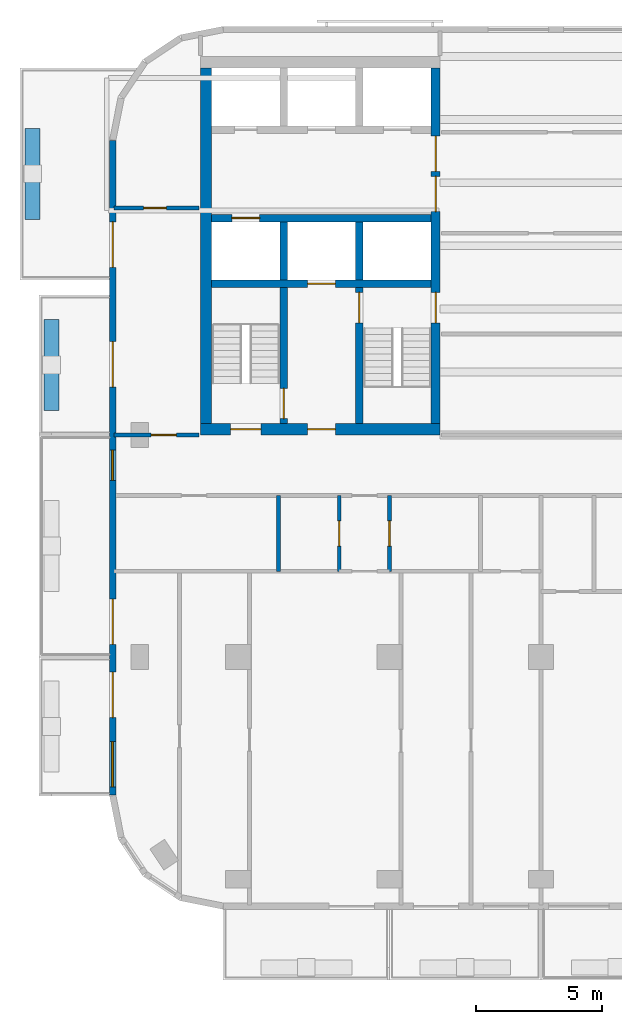
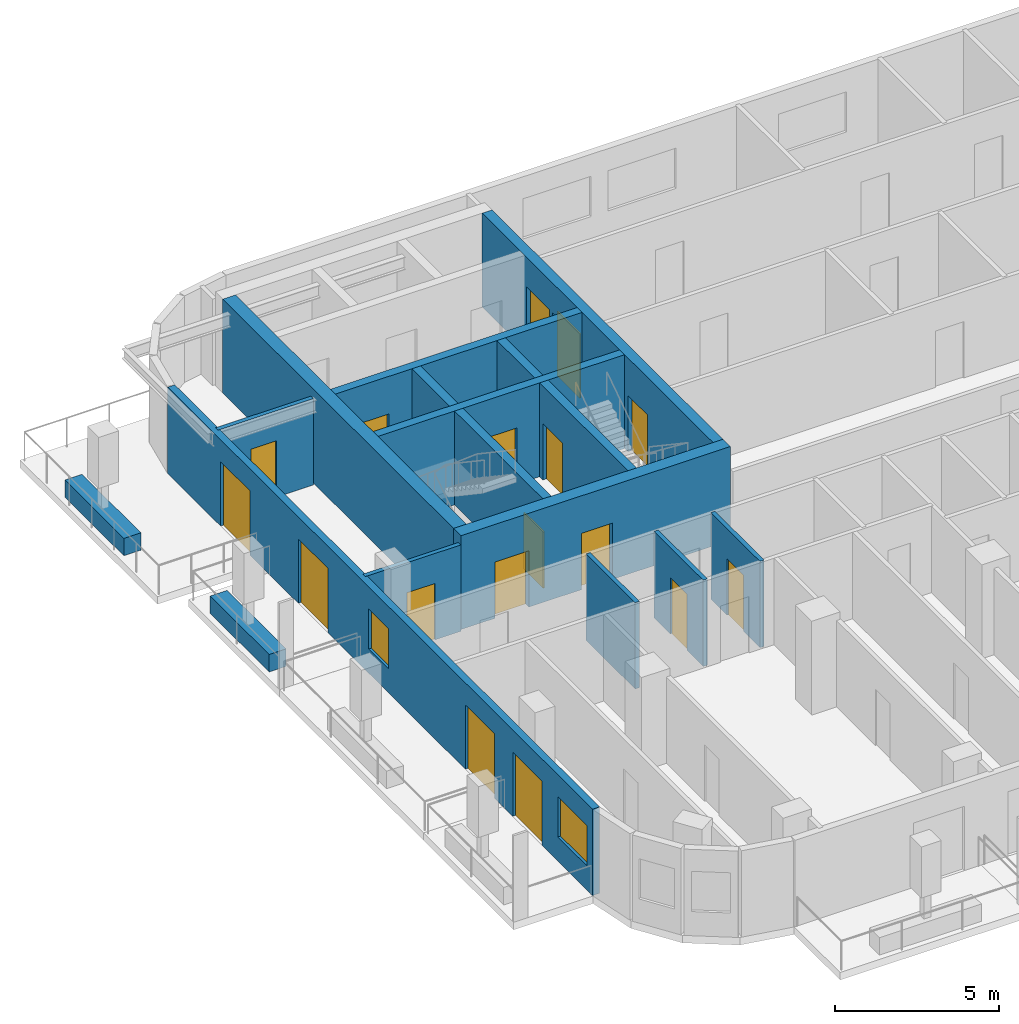
# One storey, part 3 of 11: 17 doors, 17 walls, 2 windows, 19 openings.
"""IFC4 building model written with IfcOpenShell, lengths in metres."""

from ifc_helpers import new_model, si_unit, direction, frame, frame_2d, origin, place, context, subcontext, project, spatial, rectangle, extrude, material, layer, layer_set, type_object, element, fill, save


model = new_model("IFC4")

# Units and contexts
model_context = context("Model", 3, precision=1e-05, world=origin(), true_north=direction((0.0, 1.0)))
body_context = subcontext(model_context, "Body", "Model", "MODEL_VIEW")
ifc_project = project(units=[si_unit("LENGTHUNIT", "METRE"), si_unit("AREAUNIT", "SQUARE_METRE"), si_unit("VOLUMEUNIT", "CUBIC_METRE"), si_unit("PLANEANGLEUNIT", "RADIAN"), si_unit("MASSUNIT", "GRAM", prefix="KILO")], contexts=[model_context])

# Site, building, storey
site_placement = place(None, origin())
site = spatial("IfcSite", under=ifc_project, at=site_placement, CompositionType="ELEMENT")
building_placement = place(site_placement, origin())
building = spatial("IfcBuilding", under=site, at=building_placement, Name="Torana Hotel and Residences", CompositionType="ELEMENT")
storey_placement = place(building_placement, frame((0.0, 0.0, 280.60009765625)))
storey = spatial("IfcBuildingStorey", under=building, at=storey_placement, Name="L74", CompositionType="ELEMENT", Elevation=280.60009765625)

# Wall, opening, door
ifc_material_1 = material(Name="Concrete C60/75", Category="concrete")
ifc_layer_1 = layer(ifc_material_1, 0.300048828125)
ifc_layer_set_1 = layer_set([ifc_layer_1], Name="CORE WALL 300 C60/75")
wall_type_1 = type_object("IfcWallType", Name="CORE WALL 300 C60/75", PredefinedType="SHEAR", material=ifc_layer_set_1)
wall_1_placement = place(storey_placement, frame((-19.050048828125, -6.39990234375, 0.0), z_axis=(0.0, 0.0, 1.0), x_axis=(1.0, 0.0, 0.0)))
wall_1 = element("IfcWall", 1, at=wall_1_placement, inside=storey, type_object=wall_type_1, Name="Core wall W row-S", PredefinedType="SHEAR", context=body_context, shape_type="SweptSolid", body=[
    extrude(rectangle(XDim=8.699951171875, YDim=0.300048828125, at=frame_2d((4.35009765625, 0.0))), origin(), (0.0, 0.0, 1.0), 3.5),
])
opening_1_placement = place(wall_1_placement, frame((0.800048828125, 0.0, 0.0)))
opening_1 = element("IfcOpeningElement", 2, at=opening_1_placement, cuts=wall_1, Name="Opening LD", PredefinedType="OPENING", context=body_context, shape_type="SweptSolid", body=[
    extrude(rectangle(XDim=1.10009765625, YDim=2.10009765625, at=frame_2d((0.550048828125, 1.050048828125))), frame((0.0, 0.159912109375, 0.0), z_axis=(0.0, -1.0, 0.0), x_axis=(1.0, 0.0, 0.0)), (0.0, 0.0, 1.0), 0.320068359375),
])
ifc_material_2 = material(Name="Stainless steel 316", Category="steel")
door_type_1 = type_object("IfcDoorType", Name="LIFT LANDING DOOR LD 1100x2100", OperationType="DOUBLE_DOOR_SLIDING", PredefinedType="USERDEFINED", material=ifc_material_2)
door_1_placement = place(opening_1_placement, origin())
door_1 = element("IfcDoor", 3, at=door_1_placement, inside=storey, type_object=door_type_1, Name="Lift landing door SV1 L74", ObjectType="LIFT LANDING DOOR", OperationType="DOUBLE_DOOR_SLIDING", OverallHeight=2.10009765625, OverallWidth=1.10009765625, PredefinedType="USERDEFINED", context=body_context, shape_type="SweptSolid", body=[
    extrude(rectangle(XDim=1.10009765625, YDim=2.10009765625, at=frame_2d((0.550048828125, 1.050048828125))), frame((0.0, 0.02490234375, 0.0), z_axis=(0.0, -1.0, 0.0), x_axis=(1.0, 0.0, 0.0)), (0.0, 0.0, 1.0), 0.050048828125),
])
fill(opening_1, door_1)

wall_2_placement = place(storey_placement, frame((-19.050048828125, -9.0, 0.0), z_axis=(0.0, 0.0, 1.0), x_axis=(1.0, 0.0, 0.0)))
wall_2 = element("IfcWall", 4, at=wall_2_placement, inside=storey, type_object=wall_type_1, Name="Core wall W band", PredefinedType="SHEAR", context=body_context, shape_type="SweptSolid", body=[
    extrude(rectangle(XDim=8.699951171875, YDim=0.300048828125, at=frame_2d((4.35009765625, 0.0))), origin(), (0.0, 0.0, 1.0), 3.5),
])
opening_2_placement = place(wall_2_placement, frame((3.800048828125, 0.0, 0.0)))
opening_2 = element("IfcOpeningElement", 5, at=opening_2_placement, cuts=wall_2, Name="Opening LD", PredefinedType="OPENING", context=body_context, shape_type="SweptSolid", body=[
    extrude(rectangle(XDim=1.10009765625, YDim=2.10009765625, at=frame_2d((0.550048828125, 1.050048828125))), frame((0.0, 0.159912109375, 0.0), z_axis=(0.0, -1.0, 0.0), x_axis=(1.0, 0.0, 0.0)), (0.0, 0.0, 1.0), 0.320068359375),
])
door_2_placement = place(opening_2_placement, origin())
door_2 = element("IfcDoor", 6, at=door_2_placement, inside=storey, type_object=door_type_1, Name="Lift landing door FF1 L74", ObjectType="LIFT LANDING DOOR", OperationType="DOUBLE_DOOR_SLIDING", OverallHeight=2.10009765625, OverallWidth=1.10009765625, PredefinedType="USERDEFINED", context=body_context, shape_type="SweptSolid", body=[
    extrude(rectangle(XDim=1.10009765625, YDim=2.10009765625, at=frame_2d((0.550048828125, 1.050048828125))), frame((0.0, 0.02490234375, 0.0), z_axis=(0.0, -1.0, 0.0), x_axis=(1.0, 0.0, 0.0)), (0.0, 0.0, 1.0), 0.050048828125),
])
fill(opening_2, door_2)

# Wall
wall_3_placement = place(storey_placement, frame((-13.199951171875, -8.85009765625, 0.0), z_axis=(0.0, 0.0, 1.0), x_axis=(0.0, 1.0, 0.0)))
element("IfcWall", 7, at=wall_3_placement, inside=storey, type_object=wall_type_1, Name="Core wall W x3.05-S", PredefinedType="SHEAR", context=body_context, shape_type="SweptSolid", body=[
    extrude(rectangle(XDim=2.300048828125, YDim=0.300048828125, at=frame_2d((1.14990234375, 0.0))), origin(), (0.0, 0.0, 1.0), 3.5),
])

# Wall, opening, door
wall_4_placement = place(storey_placement, frame((-13.199951171875, -14.550048828125, 0.0), z_axis=(0.0, 0.0, 1.0), x_axis=(0.0, 1.0, 0.0)))
wall_4 = element("IfcWall", 8, at=wall_4_placement, inside=storey, type_object=wall_type_1, Name="Core wall W x3.05-band", PredefinedType="SHEAR", context=body_context, shape_type="SweptSolid", body=[
    extrude(rectangle(XDim=5.400146484375, YDim=0.300048828125, at=frame_2d((2.7001953125, 0.0))), origin(), (0.0, 0.0, 1.0), 3.5),
])
opening_3_placement = place(wall_4_placement, frame((4.0, 0.0, 0.0)))
opening_3 = element("IfcOpeningElement", 9, at=opening_3_placement, cuts=wall_4, Name="Opening L74-07", PredefinedType="OPENING", context=body_context, shape_type="SweptSolid", body=[
    extrude(rectangle(XDim=1.199951171875, YDim=2.10009765625, at=frame_2d((0.60009765625, 1.050048828125))), frame((0.0, 0.159912109375, 0.0), z_axis=(0.0, -1.0, 0.0), x_axis=(1.0, 0.0, 0.0)), (0.0, 0.0, 1.0), 0.320068359375),
])
ifc_material_3 = material(Name="Steel S235", Category="steel")
door_type_2 = type_object("IfcDoorType", Name="STAIR FIRE DOOR D3 1200x2100", OperationType="SINGLE_SWING_LEFT", PredefinedType="DOOR", material=ifc_material_3)
door_3_placement = place(opening_3_placement, frame((0.60009765625, 0.0, 0.0), z_axis=(0.0, 0.0, 1.0), x_axis=(-1.0, 0.0, 0.0)))
door_3 = element("IfcDoor", 10, at=door_3_placement, inside=storey, type_object=door_type_2, Name="Stair-A-lobby door L74", OperationType="SINGLE_SWING_RIGHT", OverallHeight=2.10009765625, OverallWidth=1.199951171875, PredefinedType="DOOR", context=body_context, shape_type="SweptSolid", body=[
    extrude(rectangle(XDim=1.199951171875, YDim=2.10009765625, at=frame_2d((0.0, 1.050048828125))), frame((0.0, -0.02490234375, 0.0), z_axis=(0.0, 1.0, 0.0), x_axis=(-1.0, 0.0, 0.0)), (0.0, 0.0, 1.0), 0.050048828125),
])
fill(opening_3, door_3)

# Wall
wall_5_placement = place(storey_placement, frame((-16.199951171875, -8.85009765625, 0.0), z_axis=(0.0, 0.0, 1.0), x_axis=(0.0, 1.0, 0.0)))
element("IfcWall", 11, at=wall_5_placement, inside=storey, type_object=wall_type_1, Name="Core wall W x6.05-S", PredefinedType="SHEAR", context=body_context, shape_type="SweptSolid", body=[
    extrude(rectangle(XDim=2.300048828125, YDim=0.300048828125, at=frame_2d((1.14990234375, 0.0))), origin(), (0.0, 0.0, 1.0), 3.5),
])

# Wall, opening, door
wall_6_placement = place(storey_placement, frame((-16.199951171875, -14.550048828125, 0.0), z_axis=(0.0, 0.0, 1.0), x_axis=(0.0, 1.0, 0.0)))
wall_6 = element("IfcWall", 12, at=wall_6_placement, inside=storey, type_object=wall_type_1, Name="Core wall W x6.05-band", PredefinedType="SHEAR", context=body_context, shape_type="SweptSolid", body=[
    extrude(rectangle(XDim=5.400146484375, YDim=0.300048828125, at=frame_2d((2.7001953125, 0.0))), origin(), (0.0, 0.0, 1.0), 3.5),
])
opening_4_placement = place(wall_6_placement, frame((0.199951171875, 0.0, 0.0)))
opening_4 = element("IfcOpeningElement", 13, at=opening_4_placement, cuts=wall_6, Name="Opening L74-08", PredefinedType="OPENING", context=body_context, shape_type="SweptSolid", body=[
    extrude(rectangle(XDim=1.199951171875, YDim=2.10009765625, at=frame_2d((0.60009765625, 1.050048828125))), frame((0.0, 0.159912109375, 0.0), z_axis=(0.0, -1.0, 0.0), x_axis=(1.0, 0.0, 0.0)), (0.0, 0.0, 1.0), 0.320068359375),
])
door_4_placement = place(opening_4_placement, origin())
door_4 = element("IfcDoor", 14, at=door_4_placement, inside=storey, type_object=door_type_2, Name="Stair-B-lobby door L74", OperationType="SINGLE_SWING_RIGHT", OverallHeight=2.10009765625, OverallWidth=1.199951171875, PredefinedType="DOOR", context=body_context, shape_type="SweptSolid", body=[
    extrude(rectangle(XDim=1.199951171875, YDim=2.10009765625, at=frame_2d((0.60009765625, 1.050048828125))), frame((0.0, 0.02490234375, 0.0), z_axis=(0.0, -1.0, 0.0), x_axis=(1.0, 0.0, 0.0)), (0.0, 0.0, 1.0), 0.050048828125),
])
fill(opening_4, door_4)

# Wall, openings, doors
ifc_material_4 = material(Name="Concrete C60/75", Category="concrete")
ifc_layer_2 = layer(ifc_material_4, 0.35009765625)
ifc_layer_set_2 = layer_set([ifc_layer_2], Name="CORE WALL 350 C60/75")
wall_type_2 = type_object("IfcWallType", Name="CORE WALL 350 C60/75", PredefinedType="SHEAR", material=ifc_layer_set_2)
wall_7_placement = place(storey_placement, frame((-10.175048828125, -14.550048828125, 0.0), z_axis=(0.0, 0.0, 1.0), x_axis=(0.0, 1.0, 0.0)))
wall_7 = element("IfcWall", 15, at=wall_7_placement, inside=storey, type_object=wall_type_2, Name="Core wall W arch", PredefinedType="SHEAR", context=body_context, shape_type="SweptSolid", body=[
    extrude(rectangle(XDim=14.10009765625, YDim=0.35009765625, at=frame_2d((7.050048828125, 0.0))), origin(), (0.0, 0.0, 1.0), 3.5),
])
opening_5_placement = place(wall_7_placement, frame((8.39990234375, 0.0, 0.0)))
opening_5 = element("IfcOpeningElement", 16, at=opening_5_placement, cuts=wall_7, Name="Opening L74-01", PredefinedType="OPENING", context=body_context, shape_type="SweptSolid", body=[
    extrude(rectangle(XDim=1.39990234375, YDim=2.39990234375, at=frame_2d((0.699951171875, 1.199951171875))), frame((0.0, 0.18505859375, 0.0), z_axis=(0.0, -1.0, 0.0), x_axis=(1.0, 0.0, 0.0)), (0.0, 0.0, 1.0), 0.3701171875),
])
opening_6_placement = place(wall_7_placement, frame((10.0, 0.0, 0.0)))
opening_6 = element("IfcOpeningElement", 17, at=opening_6_placement, cuts=wall_7, Name="Opening L74-02", PredefinedType="OPENING", context=body_context, shape_type="SweptSolid", body=[
    extrude(rectangle(XDim=1.39990234375, YDim=2.39990234375, at=frame_2d((0.699951171875, 1.199951171875))), frame((0.0, 0.18505859375, 0.0), z_axis=(0.0, -1.0, 0.0), x_axis=(1.0, 0.0, 0.0)), (0.0, 0.0, 1.0), 0.3701171875),
])
opening_7_placement = place(wall_7_placement, frame((4.0, 0.0, 0.0)))
opening_7 = element("IfcOpeningElement", 18, at=opening_7_placement, cuts=wall_7, Name="Opening L74-03", PredefinedType="OPENING", context=body_context, shape_type="SweptSolid", body=[
    extrude(rectangle(XDim=1.199951171875, YDim=2.10009765625, at=frame_2d((0.60009765625, 1.050048828125))), frame((0.0, 0.18505859375, 0.0), z_axis=(0.0, -1.0, 0.0), x_axis=(1.0, 0.0, 0.0)), (0.0, 0.0, 1.0), 0.3701171875),
])
ifc_material_5 = material(Name="Steel S235", Category="steel")
door_type_3 = type_object("IfcDoorType", Name="LOBBY FIRE DOOR D4 1400x2400", OperationType="DOUBLE_DOOR_SINGLE_SWING", PredefinedType="DOOR", material=ifc_material_5)
door_5_placement = place(opening_5_placement, origin())
door_5 = element("IfcDoor", 19, at=door_5_placement, inside=storey, type_object=door_type_3, Name="Lobby-1 door L74", OperationType="DOUBLE_DOOR_SINGLE_SWING", OverallHeight=2.39990234375, OverallWidth=1.39990234375, PredefinedType="DOOR", context=body_context, shape_type="SweptSolid", body=[
    extrude(rectangle(XDim=1.39990234375, YDim=2.39990234375, at=frame_2d((0.699951171875, 1.199951171875))), frame((0.0, 0.02490234375, 0.0), z_axis=(0.0, -1.0, 0.0), x_axis=(1.0, 0.0, 0.0)), (0.0, 0.0, 1.0), 0.050048828125),
])
fill(opening_5, door_5)
door_6_placement = place(opening_6_placement, origin())
door_6 = element("IfcDoor", 20, at=door_6_placement, inside=storey, type_object=door_type_3, Name="Lobby-2 door L74", OperationType="DOUBLE_DOOR_SINGLE_SWING", OverallHeight=2.39990234375, OverallWidth=1.39990234375, PredefinedType="DOOR", context=body_context, shape_type="SweptSolid", body=[
    extrude(rectangle(XDim=1.39990234375, YDim=2.39990234375, at=frame_2d((0.699951171875, 1.199951171875))), frame((0.0, 0.02490234375, 0.0), z_axis=(0.0, -1.0, 0.0), x_axis=(1.0, 0.0, 0.0)), (0.0, 0.0, 1.0), 0.050048828125),
])
fill(opening_6, door_6)
door_7_placement = place(opening_7_placement, origin())
door_7 = element("IfcDoor", 21, at=door_7_placement, inside=storey, type_object=door_type_2, Name="Stair-A door L74", OperationType="SINGLE_SWING_LEFT", OverallHeight=2.10009765625, OverallWidth=1.199951171875, PredefinedType="DOOR", context=body_context, shape_type="SweptSolid", body=[
    extrude(rectangle(XDim=1.199951171875, YDim=2.10009765625, at=frame_2d((0.60009765625, 1.050048828125))), frame((0.0, 0.02490234375, 0.0), z_axis=(0.0, -1.0, 0.0), x_axis=(1.0, 0.0, 0.0)), (0.0, 0.0, 1.0), 0.050048828125),
])
fill(opening_7, door_7)

ifc_material_6 = material(Name="Concrete C60/75", Category="concrete")
ifc_layer_3 = layer(ifc_material_6, 0.449951171875)
ifc_layer_set_3 = layer_set([ifc_layer_3], Name="CORE WALL 450 C60/75")
wall_type_3 = type_object("IfcWallType", Name="CORE WALL 450 C60/75", PredefinedType="SHEAR", material=ifc_layer_set_3)
wall_8_placement = place(storey_placement, frame((-19.5, -14.77490234375, 0.0), z_axis=(0.0, 0.0, 1.0), x_axis=(1.0, 0.0, 0.0)))
wall_8 = element("IfcWall", 22, at=wall_8_placement, inside=storey, type_object=wall_type_3, Name="Core wall W front", PredefinedType="SHEAR", context=body_context, shape_type="SweptSolid", body=[
    extrude(rectangle(XDim=9.5, YDim=0.449951171875, at=frame_2d((4.75, 0.0))), origin(), (0.0, 0.0, 1.0), 3.5),
])
opening_8_placement = place(wall_8_placement, frame((1.199951171875, 0.0, 0.0)))
opening_8 = element("IfcOpeningElement", 23, at=opening_8_placement, cuts=wall_8, Name="Opening L74-04", PredefinedType="OPENING", context=body_context, shape_type="SweptSolid", body=[
    extrude(rectangle(XDim=1.199951171875, YDim=2.10009765625, at=frame_2d((0.60009765625, 1.050048828125))), frame((0.0, 0.23486328125, 0.0), z_axis=(0.0, -1.0, 0.0), x_axis=(1.0, 0.0, 0.0)), (0.0, 0.0, 1.0), 0.469970703125),
])
opening_9_placement = place(wall_8_placement, frame((4.25, 0.0, 0.0)))
opening_9 = element("IfcOpeningElement", 24, at=opening_9_placement, cuts=wall_8, Name="Opening L74-05", PredefinedType="OPENING", context=body_context, shape_type="SweptSolid", body=[
    extrude(rectangle(XDim=1.10009765625, YDim=2.10009765625, at=frame_2d((0.550048828125, 1.050048828125))), frame((0.0, 0.23486328125, 0.0), z_axis=(0.0, -1.0, 0.0), x_axis=(1.0, 0.0, 0.0)), (0.0, 0.0, 1.0), 0.469970703125),
])
ifc_material_7 = material(Name="Steel S235", Category="steel")
door_type_4 = type_object("IfcDoorType", Name="FIRE-FIGHTING LOBBY DOOR D8 1100x2100", OperationType="SINGLE_SWING_LEFT", PredefinedType="DOOR", material=ifc_material_7)
door_8_placement = place(opening_9_placement, origin())
door_8 = element("IfcDoor", 25, at=door_8_placement, inside=storey, type_object=door_type_4, Name="FF-lobby door L74", OperationType="SINGLE_SWING_RIGHT", OverallHeight=2.10009765625, OverallWidth=1.10009765625, PredefinedType="DOOR", context=body_context, shape_type="SweptSolid", body=[
    extrude(rectangle(XDim=1.10009765625, YDim=2.10009765625, at=frame_2d((0.550048828125, 1.050048828125))), frame((0.0, 0.02490234375, 0.0), z_axis=(0.0, -1.0, 0.0), x_axis=(1.0, 0.0, 0.0)), (0.0, 0.0, 1.0), 0.050048828125),
])
fill(opening_9, door_8)
door_9_placement = place(opening_8_placement, origin())
door_9 = element("IfcDoor", 26, at=door_9_placement, inside=storey, type_object=door_type_2, Name="Stair-B door L74", OperationType="SINGLE_SWING_RIGHT", OverallHeight=2.10009765625, OverallWidth=1.199951171875, PredefinedType="DOOR", context=body_context, shape_type="SweptSolid", body=[
    extrude(rectangle(XDim=1.199951171875, YDim=2.10009765625, at=frame_2d((0.60009765625, 1.050048828125))), frame((0.0, 0.02490234375, 0.0), z_axis=(0.0, -1.0, 0.0), x_axis=(1.0, 0.0, 0.0)), (0.0, 0.0, 1.0), 0.050048828125),
])
fill(opening_8, door_9)

# Wall
wall_9_placement = place(storey_placement, frame((-19.27490234375, -14.550048828125, 0.0), z_axis=(0.0, 0.0, 1.0), x_axis=(0.0, 1.0, 0.0)))
element("IfcWall", 27, at=wall_9_placement, inside=storey, type_object=wall_type_3, Name="Core wall W outer", PredefinedType="SHEAR", context=body_context, shape_type="SweptSolid", body=[
    extrude(rectangle(XDim=14.10009765625, YDim=0.449951171875, at=frame_2d((7.050048828125, 0.0))), origin(), (0.0, 0.0, 1.0), 3.5),
])

# Wall, openings, doors, windows
ifc_material_8 = material(Name="Black aluminium composite panel", Category="aluminium")
ifc_layer_4 = layer(ifc_material_8, 0.00390625, Name="Cladding", Category="cladding")
ifc_material_9 = material(Name="Ventilated air cavity")
ifc_layer_5 = layer(ifc_material_9, 0.0400390625, Name="Ventilated cavity", Category="cavity")
ifc_material_10 = material(Name="Mineral wool insulation")
ifc_layer_6 = layer(ifc_material_10, 0.090087890625, Name="Insulation", Category="insulation")
ifc_material_11 = material(Name="Steel S280GD", Category="steel")
ifc_layer_7 = layer(ifc_material_11, 0.092041015625, Name="Steel stud frame", Category="structure")
ifc_material_12 = material(Name="Fire rated plasterboard")
ifc_layer_8 = layer(ifc_material_12, 0.011962890625, Name="Inner board", Category="finish")
ifc_layer_9 = layer(ifc_material_12, 0.011962890625, Name="Second board", Category="finish")
ifc_layer_set_4 = layer_set([ifc_layer_4, ifc_layer_5, ifc_layer_6, ifc_layer_7, ifc_layer_8, ifc_layer_9], Name="EW1 EXTERNAL WALL BLACK METAL CLAD 250")
wall_type_4 = type_object("IfcWallType", Name="EW1 EXTERNAL WALL BLACK METAL CLAD 250", PredefinedType="SOLIDWALL", material=ifc_layer_set_4)
wall_10_placement = place(storey_placement, frame((-22.97509765625, -3.32470703125, 0.0), z_axis=(0.0, 0.0, 1.0), x_axis=(0.0, -1.0, 0.0)))
wall_10 = element("IfcWall", 28, at=wall_10_placement, inside=storey, type_object=wall_type_4, Name="External wall L74 e0.9", PredefinedType="SOLIDWALL", context=body_context, shape_type="SweptSolid", body=[
    extrude(rectangle(XDim=25.95068359375, YDim=0.25, at=frame_2d((12.975341796875, 0.0))), origin(), (0.0, 0.0, 1.0), 3.219970703125),
])
opening_10_placement = place(wall_10_placement, frame((3.225341796875, 0.0, 0.0)))
opening_10 = element("IfcOpeningElement", 29, at=opening_10_placement, cuts=wall_10, Name="Opening L74-E11", PredefinedType="OPENING", context=body_context, shape_type="SweptSolid", body=[
    extrude(rectangle(XDim=1.800048828125, YDim=2.39990234375, at=frame_2d((0.89990234375, 1.199951171875))), frame((0.0, 0.135009765625, 0.0), z_axis=(0.0, -1.0, 0.0), x_axis=(1.0, 0.0, 0.0)), (0.0, 0.0, 1.0), 0.27001953125),
])
opening_11_placement = place(wall_10_placement, frame((7.975341796875, 0.0, 0.0)))
opening_11 = element("IfcOpeningElement", 30, at=opening_11_placement, cuts=wall_10, Name="Opening L74-E12", PredefinedType="OPENING", context=body_context, shape_type="SweptSolid", body=[
    extrude(rectangle(XDim=1.800048828125, YDim=2.39990234375, at=frame_2d((0.89990234375, 1.199951171875))), frame((0.0, 0.135009765625, 0.0), z_axis=(0.0, -1.0, 0.0), x_axis=(1.0, 0.0, 0.0)), (0.0, 0.0, 1.0), 0.27001953125),
])
opening_12_placement = place(wall_10_placement, frame((12.275390625, 0.0, 0.89990234375)))
opening_12 = element("IfcOpeningElement", 31, at=opening_12_placement, cuts=wall_10, Name="Opening W5", PredefinedType="OPENING", context=body_context, shape_type="SweptSolid", body=[
    extrude(rectangle(XDim=1.199951171875, YDim=1.5, at=frame_2d((0.60009765625, 0.75))), frame((0.0, 0.135009765625, 0.0), z_axis=(0.0, -1.0, 0.0), x_axis=(1.0, 0.0, 0.0)), (0.0, 0.0, 1.0), 0.27001953125),
])
opening_13_placement = place(wall_10_placement, frame((18.17529296875, 0.0, 0.0)))
opening_13 = element("IfcOpeningElement", 32, at=opening_13_placement, cuts=wall_10, Name="Opening L74-E13", PredefinedType="OPENING", context=body_context, shape_type="SweptSolid", body=[
    extrude(rectangle(XDim=1.800048828125, YDim=2.39990234375, at=frame_2d((0.89990234375, 1.199951171875))), frame((0.0, 0.135009765625, 0.0), z_axis=(0.0, -1.0, 0.0), x_axis=(1.0, 0.0, 0.0)), (0.0, 0.0, 1.0), 0.27001953125),
])
opening_14_placement = place(wall_10_placement, frame((21.075439453125, 0.0, 0.0)))
opening_14 = element("IfcOpeningElement", 33, at=opening_14_placement, cuts=wall_10, Name="Opening L74-E14", PredefinedType="OPENING", context=body_context, shape_type="SweptSolid", body=[
    extrude(rectangle(XDim=1.800048828125, YDim=2.39990234375, at=frame_2d((0.89990234375, 1.199951171875))), frame((0.0, 0.135009765625, 0.0), z_axis=(0.0, -1.0, 0.0), x_axis=(1.0, 0.0, 0.0)), (0.0, 0.0, 1.0), 0.27001953125),
])
opening_15_placement = place(wall_10_placement, frame((23.825439453125, 0.0, 0.89990234375)))
opening_15 = element("IfcOpeningElement", 34, at=opening_15_placement, cuts=wall_10, Name="Opening W4", PredefinedType="OPENING", context=body_context, shape_type="SweptSolid", body=[
    extrude(rectangle(XDim=1.800048828125, YDim=1.5, at=frame_2d((0.89990234375, 0.75))), frame((0.0, 0.135009765625, 0.0), z_axis=(0.0, -1.0, 0.0), x_axis=(1.0, 0.0, 0.0)), (0.0, 0.0, 1.0), 0.27001953125),
])
ifc_material_13 = material(Name="Dark glass in black aluminium frame", Category="aluminium")
door_type_5 = type_object("IfcDoorType", Name="DB1 BALCONY DOOR 1800x2400", OperationType="DOUBLE_DOOR_SINGLE_SWING", PredefinedType="DOOR", material=ifc_material_13)
door_10_placement = place(opening_10_placement, origin())
door_10 = element("IfcDoor", 35, at=door_10_placement, inside=storey, type_object=door_type_5, Name="Balcony door L74", OperationType="DOUBLE_DOOR_SINGLE_SWING", OverallHeight=2.39990234375, OverallWidth=1.800048828125, PredefinedType="DOOR", context=body_context, shape_type="SweptSolid", body=[
    extrude(rectangle(XDim=1.800048828125, YDim=2.39990234375, at=frame_2d((0.89990234375, 1.199951171875))), frame((0.0, 0.02490234375, 0.0), z_axis=(0.0, -1.0, 0.0), x_axis=(1.0, 0.0, 0.0)), (0.0, 0.0, 1.0), 0.050048828125),
])
fill(opening_10, door_10)
door_11_placement = place(opening_11_placement, origin())
door_11 = element("IfcDoor", 36, at=door_11_placement, inside=storey, type_object=door_type_5, Name="Balcony door L74", OperationType="DOUBLE_DOOR_SINGLE_SWING", OverallHeight=2.39990234375, OverallWidth=1.800048828125, PredefinedType="DOOR", context=body_context, shape_type="SweptSolid", body=[
    extrude(rectangle(XDim=1.800048828125, YDim=2.39990234375, at=frame_2d((0.89990234375, 1.199951171875))), frame((0.0, 0.02490234375, 0.0), z_axis=(0.0, -1.0, 0.0), x_axis=(1.0, 0.0, 0.0)), (0.0, 0.0, 1.0), 0.050048828125),
])
fill(opening_11, door_11)
door_12_placement = place(opening_13_placement, origin())
door_12 = element("IfcDoor", 37, at=door_12_placement, inside=storey, type_object=door_type_5, Name="Balcony door L74", OperationType="DOUBLE_DOOR_SINGLE_SWING", OverallHeight=2.39990234375, OverallWidth=1.800048828125, PredefinedType="DOOR", context=body_context, shape_type="SweptSolid", body=[
    extrude(rectangle(XDim=1.800048828125, YDim=2.39990234375, at=frame_2d((0.89990234375, 1.199951171875))), frame((0.0, 0.02490234375, 0.0), z_axis=(0.0, -1.0, 0.0), x_axis=(1.0, 0.0, 0.0)), (0.0, 0.0, 1.0), 0.050048828125),
])
fill(opening_13, door_12)
door_13_placement = place(opening_14_placement, origin())
door_13 = element("IfcDoor", 38, at=door_13_placement, inside=storey, type_object=door_type_5, Name="Balcony door L74", OperationType="DOUBLE_DOOR_SINGLE_SWING", OverallHeight=2.39990234375, OverallWidth=1.800048828125, PredefinedType="DOOR", context=body_context, shape_type="SweptSolid", body=[
    extrude(rectangle(XDim=1.800048828125, YDim=2.39990234375, at=frame_2d((0.89990234375, 1.199951171875))), frame((0.0, 0.02490234375, 0.0), z_axis=(0.0, -1.0, 0.0), x_axis=(1.0, 0.0, 0.0)), (0.0, 0.0, 1.0), 0.050048828125),
])
fill(opening_14, door_13)
ifc_material_14 = material(Name="Dark glass in black aluminium frame", Category="aluminium")
window_type_1 = type_object("IfcWindowType", Name="W4 RESIDENCE WINDOW NARROW 1800x1500", PartitioningType="SINGLE_PANEL", PredefinedType="WINDOW", material=ifc_material_14)
window_1_placement = place(opening_15_placement, origin())
window_1 = element("IfcWindow", 39, at=window_1_placement, inside=storey, type_object=window_type_1, Name="Window L74", OverallHeight=1.5, OverallWidth=1.800048828125, PartitioningType="SINGLE_PANEL", PredefinedType="WINDOW", context=body_context, shape_type="SweptSolid", body=[
    extrude(rectangle(XDim=1.800048828125, YDim=1.5, at=frame_2d((0.89990234375, 0.75))), frame((0.0, 0.030029296875, 0.0), z_axis=(0.0, -1.0, 0.0), x_axis=(1.0, 0.0, 0.0)), (0.0, 0.0, 1.0), 0.06005859375),
])
fill(opening_15, window_1)
ifc_material_15 = material(Name="Dark glass in black aluminium frame", Category="aluminium")
window_type_2 = type_object("IfcWindowType", Name="W5 CORNER FACET WINDOW 1200x1500", PartitioningType="SINGLE_PANEL", PredefinedType="WINDOW", material=ifc_material_15)
window_2_placement = place(opening_12_placement, origin())
window_2 = element("IfcWindow", 40, at=window_2_placement, inside=storey, type_object=window_type_2, Name="Window L74", OverallHeight=1.5, OverallWidth=1.199951171875, PartitioningType="SINGLE_PANEL", PredefinedType="WINDOW", context=body_context, shape_type="SweptSolid", body=[
    extrude(rectangle(XDim=1.199951171875, YDim=1.5, at=frame_2d((0.60009765625, 0.75))), frame((0.0, 0.030029296875, 0.0), z_axis=(0.0, -1.0, 0.0), x_axis=(1.0, 0.0, 0.0)), (0.0, 0.0, 1.0), 0.06005859375),
])
fill(opening_12, window_2)

# Wall, opening, door
ifc_material_16 = material(Name="Gypsum plaster")
ifc_layer_10 = layer(ifc_material_16, 0.014892578125, Name="Plaster", Category="finish")
ifc_material_17 = material(Name="Concrete blockwork", Category="masonry")
ifc_layer_11 = layer(ifc_material_17, 0.1201171875, Name="Blockwork", Category="structure")
ifc_layer_12 = layer(ifc_material_16, 0.014892578125, Name="Plaster", Category="finish")
ifc_layer_set_5 = layer_set([ifc_layer_10, ifc_layer_11, ifc_layer_12], Name="FIRE PARTITION 150 BLOCKWORK")
wall_type_5 = type_object("IfcWallType", Name="FIRE PARTITION 150 BLOCKWORK", PredefinedType="PARTITIONING", material=ifc_layer_set_5)
wall_11_placement = place(storey_placement, frame((-12.0, -20.39990234375, 0.0), z_axis=(0.0, 0.0, 1.0), x_axis=(0.0, 1.0, 0.0)))
wall_11 = element("IfcWall", 41, at=wall_11_placement, inside=storey, type_object=wall_type_5, Name="Partition L74", PredefinedType="PARTITIONING", context=body_context, shape_type="SweptSolid", body=[
    extrude(rectangle(XDim=3.0, YDim=0.14990234375, at=frame_2d((1.5, 0.0))), origin(), (0.0, 0.0, 1.0), 3.219970703125),
])
opening_16_placement = place(wall_11_placement, frame((1.0, 0.0, 0.0)))
opening_16 = element("IfcOpeningElement", 42, at=opening_16_placement, cuts=wall_11, Name="Opening L74-44", PredefinedType="OPENING", context=body_context, shape_type="SweptSolid", body=[
    extrude(rectangle(XDim=1.0, YDim=2.10009765625, at=frame_2d((0.5, 1.050048828125))), frame((0.0, 0.0849609375, 0.0), z_axis=(0.0, -1.0, 0.0), x_axis=(1.0, 0.0, 0.0)), (0.0, 0.0, 1.0), 0.169921875),
])
ifc_material_18 = material(Name="Steel S235", Category="steel")
door_type_6 = type_object("IfcDoorType", Name="ENTRY FIRE DOOR D6 1000x2100", OperationType="SINGLE_SWING_LEFT", PredefinedType="DOOR", material=ifc_material_18)
door_14_placement = place(opening_16_placement, frame((0.5, 0.0, 0.0), z_axis=(0.0, 0.0, 1.0), x_axis=(-1.0, 0.0, 0.0)))
door_14 = element("IfcDoor", 43, at=door_14_placement, inside=storey, type_object=door_type_6, Name="Door L74", OperationType="SINGLE_SWING_LEFT", OverallHeight=2.10009765625, OverallWidth=1.0, PredefinedType="DOOR", context=body_context, shape_type="SweptSolid", body=[
    extrude(rectangle(XDim=1.0, YDim=2.10009765625, at=frame_2d((0.0, 1.050048828125))), frame((0.0, -0.02490234375, 0.0), z_axis=(0.0, 1.0, 0.0), x_axis=(-1.0, 0.0, 0.0)), (0.0, 0.0, 1.0), 0.050048828125),
])
fill(opening_16, door_14)

wall_12_placement = place(storey_placement, frame((-14.0, -20.39990234375, 0.0), z_axis=(0.0, 0.0, 1.0), x_axis=(0.0, 1.0, 0.0)))
wall_12 = element("IfcWall", 44, at=wall_12_placement, inside=storey, type_object=wall_type_5, Name="Partition L74", PredefinedType="PARTITIONING", context=body_context, shape_type="SweptSolid", body=[
    extrude(rectangle(XDim=3.0, YDim=0.14990234375, at=frame_2d((1.5, 0.0))), origin(), (0.0, 0.0, 1.0), 3.219970703125),
])
opening_17_placement = place(wall_12_placement, frame((1.0, 0.0, 0.0)))
opening_17 = element("IfcOpeningElement", 45, at=opening_17_placement, cuts=wall_12, Name="Opening L74-45", PredefinedType="OPENING", context=body_context, shape_type="SweptSolid", body=[
    extrude(rectangle(XDim=1.0, YDim=2.10009765625, at=frame_2d((0.5, 1.050048828125))), frame((0.0, 0.0849609375, 0.0), z_axis=(0.0, -1.0, 0.0), x_axis=(1.0, 0.0, 0.0)), (0.0, 0.0, 1.0), 0.169921875),
])
door_15_placement = place(opening_17_placement, origin())
door_15 = element("IfcDoor", 46, at=door_15_placement, inside=storey, type_object=door_type_6, Name="Door L74", OperationType="SINGLE_SWING_RIGHT", OverallHeight=2.10009765625, OverallWidth=1.0, PredefinedType="DOOR", context=body_context, shape_type="SweptSolid", body=[
    extrude(rectangle(XDim=1.0, YDim=2.10009765625, at=frame_2d((0.5, 1.050048828125))), frame((0.0, 0.02490234375, 0.0), z_axis=(0.0, -1.0, 0.0), x_axis=(1.0, 0.0, 0.0)), (0.0, 0.0, 1.0), 0.050048828125),
])
fill(opening_17, door_15)

wall_13_placement = place(storey_placement, frame((-22.919921875, -15.0, 0.0), z_axis=(0.0, 0.0, 1.0), x_axis=(1.0, 0.0, 0.0)))
wall_13 = element("IfcWall", 47, at=wall_13_placement, inside=storey, type_object=wall_type_5, Name="Partition L74", PredefinedType="PARTITIONING", context=body_context, shape_type="SweptSolid", body=[
    extrude(rectangle(XDim=3.369873046875, YDim=0.14990234375, at=frame_2d((1.68505859375, 0.0))), origin(), (0.0, 0.0, 1.0), 3.219970703125),
])
opening_18_placement = place(wall_13_placement, frame((1.469970703125, 0.0, 0.0)))
opening_18 = element("IfcOpeningElement", 48, at=opening_18_placement, cuts=wall_13, Name="Opening L74-26", PredefinedType="OPENING", context=body_context, shape_type="SweptSolid", body=[
    extrude(rectangle(XDim=1.0, YDim=2.10009765625, at=frame_2d((0.5, 1.050048828125))), frame((0.0, 0.0849609375, 0.0), z_axis=(0.0, -1.0, 0.0), x_axis=(1.0, 0.0, 0.0)), (0.0, 0.0, 1.0), 0.169921875),
])
ifc_material_19 = material(Name="Steel S235", Category="steel")
door_type_7 = type_object("IfcDoorType", Name="CORE ROOM FIRE DOOR D14 1000x2100", OperationType="SINGLE_SWING_LEFT", PredefinedType="DOOR", material=ifc_material_19)
door_16_placement = place(opening_18_placement, origin())
door_16 = element("IfcDoor", 49, at=door_16_placement, inside=storey, type_object=door_type_7, Name="Door L74", OperationType="SINGLE_SWING_RIGHT", OverallHeight=2.10009765625, OverallWidth=1.0, PredefinedType="DOOR", context=body_context, shape_type="SweptSolid", body=[
    extrude(rectangle(XDim=1.0, YDim=2.10009765625, at=frame_2d((0.5, 1.050048828125))), frame((0.0, 0.02490234375, 0.0), z_axis=(0.0, -1.0, 0.0), x_axis=(1.0, 0.0, 0.0)), (0.0, 0.0, 1.0), 0.050048828125),
])
fill(opening_18, door_16)

# Wall
ifc_material_20 = material(Name="Gypsum plasterboard")
ifc_layer_13 = layer(ifc_material_20, 0.012451171875, Name="Plasterboard", Category="finish")
ifc_layer_14 = layer(ifc_material_20, 0.012451171875, Name="Plasterboard", Category="finish")
ifc_layer_15 = layer(ifc_material_11, 0.10009765625, Name="Steel studs with mineral wool", Category="insulation")
ifc_layer_16 = layer(ifc_material_20, 0.012451171875, Name="Plasterboard", Category="finish")
ifc_layer_17 = layer(ifc_material_20, 0.012451171875, Name="Plasterboard", Category="finish")
ifc_layer_set_6 = layer_set([ifc_layer_13, ifc_layer_14, ifc_layer_15, ifc_layer_16, ifc_layer_17], Name="PARTITION 150 PLASTERBOARD")
wall_type_6 = type_object("IfcWallType", Name="PARTITION 150 PLASTERBOARD", PredefinedType="PARTITIONING", material=ifc_layer_set_6)
wall_14_placement = place(storey_placement, frame((-16.39990234375, -20.39990234375, 0.0), z_axis=(0.0, 0.0, 1.0), x_axis=(0.0, 1.0, 0.0)))
element("IfcWall", 50, at=wall_14_placement, inside=storey, type_object=wall_type_6, Name="Partition L74", PredefinedType="PARTITIONING", context=body_context, shape_type="SweptSolid", body=[
    extrude(rectangle(XDim=3.0, YDim=0.14990234375, at=frame_2d((1.5, 0.0))), origin(), (0.0, 0.0, 1.0), 3.219970703125),
])

# Wall, opening, door
wall_15_placement = place(storey_placement, frame((-22.919921875, -6.0, 0.0), z_axis=(0.0, 0.0, 1.0), x_axis=(1.0, 0.0, 0.0)))
wall_15 = element("IfcWall", 51, at=wall_15_placement, inside=storey, type_object=wall_type_6, Name="Partition L74", PredefinedType="PARTITIONING", context=body_context, shape_type="SweptSolid", body=[
    extrude(rectangle(XDim=3.369873046875, YDim=0.14990234375, at=frame_2d((1.68505859375, 0.0))), origin(), (0.0, 0.0, 1.0), 3.219970703125),
])
opening_19_placement = place(wall_15_placement, frame((1.169921875, 0.0, 0.0)))
opening_19 = element("IfcOpeningElement", 52, at=opening_19_placement, cuts=wall_15, Name="Opening L74-57", PredefinedType="OPENING", context=body_context, shape_type="SweptSolid", body=[
    extrude(rectangle(XDim=0.89990234375, YDim=2.10009765625, at=frame_2d((0.449951171875, 1.050048828125))), frame((0.0, 0.0849609375, 0.0), z_axis=(0.0, -1.0, 0.0), x_axis=(1.0, 0.0, 0.0)), (0.0, 0.0, 1.0), 0.169921875),
])
ifc_material_21 = material(Name="Timber door, oiled ash", Category="wood")
door_type_8 = type_object("IfcDoorType", Name="ROOM DOOR D7 900x2100", OperationType="SINGLE_SWING_LEFT", PredefinedType="DOOR", material=ifc_material_21)
door_17_placement = place(opening_19_placement, origin())
door_17 = element("IfcDoor", 53, at=door_17_placement, inside=storey, type_object=door_type_8, Name="Door L74", OperationType="SINGLE_SWING_RIGHT", OverallHeight=2.10009765625, OverallWidth=0.89990234375, PredefinedType="DOOR", context=body_context, shape_type="SweptSolid", body=[
    extrude(rectangle(XDim=0.89990234375, YDim=2.10009765625, at=frame_2d((0.449951171875, 1.050048828125))), frame((0.0, 0.02490234375, 0.0), z_axis=(0.0, -1.0, 0.0), x_axis=(1.0, 0.0, 0.0)), (0.0, 0.0, 1.0), 0.050048828125),
])
fill(opening_19, door_17)

# Walls
ifc_material_22 = material(Name="Concrete C40/50 precast", Category="concrete")
ifc_layer_18 = layer(ifc_material_22, 0.10009765625, Name="Planter shell", Category="structure")
ifc_material_23 = material(Name="Root resistant membrane")
ifc_layer_19 = layer(ifc_material_23, 0.00390625, Name="Waterproofing membrane", Category="membrane")
ifc_material_24 = material(Name="Drainage board with filter fleece")
ifc_layer_20 = layer(ifc_material_24, 0.02001953125, Name="Drainage board", Category="drainage")
ifc_material_25 = material(Name="Growing medium")
ifc_layer_21 = layer(ifc_material_25, 0.47607421875, Name="Planting substrate", Category="soil")
ifc_layer_set_7 = layer_set([ifc_layer_18, ifc_layer_19, ifc_layer_20, ifc_layer_21], Name="PL1 BALCONY PLANTER 600")
wall_type_7 = type_object("IfcWallType", Name="PL1 BALCONY PLANTER 600", PredefinedType="USERDEFINED", material=ifc_layer_set_7)
for number, where, z_axis, x_axis, name in (
    (54, (-25.39990234375, -14.02490234375, 0.0), (0.0, 0.0, 1.0), (0.0, 1.0, 0.0), "Planter 09"),
    (55, (-26.14990234375, -6.449951171875, 0.0), (0.0, 0.0, 1.0), (0.0, 1.0, 0.0), "Planter 10"),
):
    element("IfcWall", number, at=place(storey_placement, frame(where, z_axis=z_axis, x_axis=x_axis)), inside=storey, type_object=wall_type_7, Name=name, ObjectType="PLANTER", PredefinedType="USERDEFINED", context=body_context, shape_type="SweptSolid", body=[
        extrude(rectangle(XDim=3.599853515625, YDim=0.60009765625, at=frame_2d((1.7998046875, 0.0))), origin(), (0.0, 0.0, 1.0), 0.64990234375),
    ])

save(model, "model.ifc")
